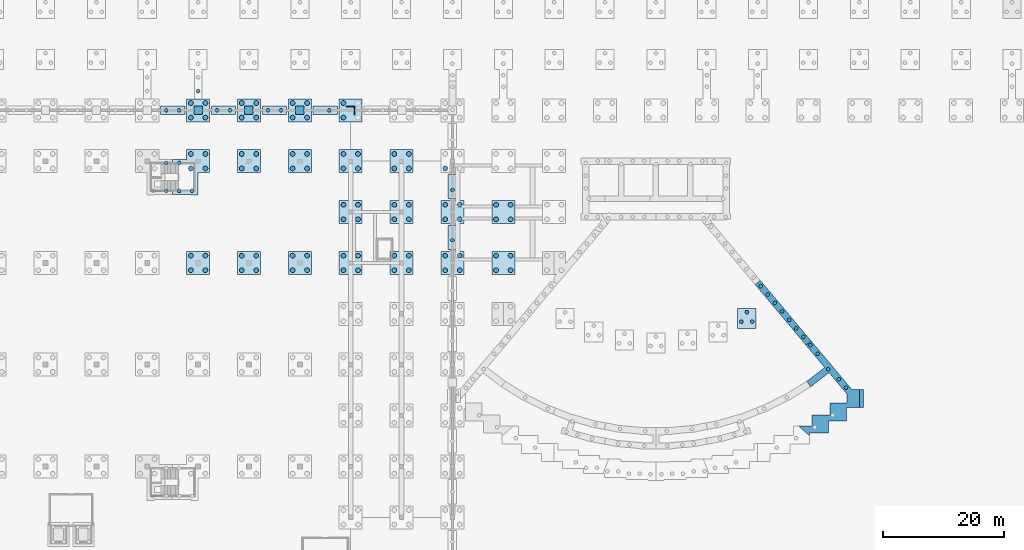
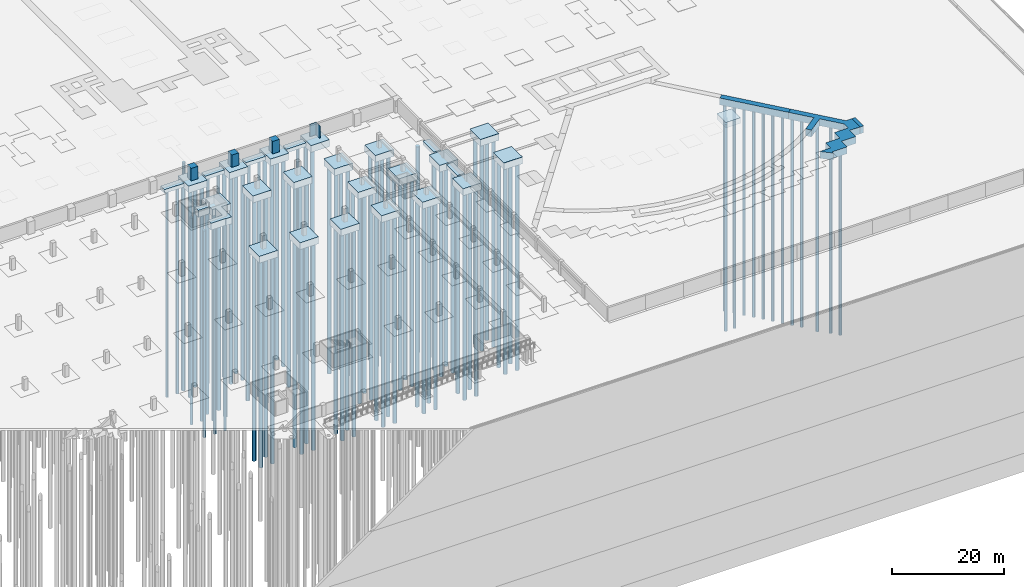
# One storey, part 9 of 67: 109 piles, 34 footings.
"""IFC4 building model written with IfcOpenShell, lengths in metres."""

from ifc_helpers import new_model, si_unit, direction, frame, origin, origin_2d, place, context, subcontext, project, spatial, polyline, circle, outline, extrude, material, material_profile, profile_set, type_object, element, save


model = new_model("IFC4")

# Units and contexts
model_context = context("Model", 3, precision=1e-05, world=origin(), true_north=direction((0.0, 1.0)))
body_context = subcontext(model_context, "Body", "Model", "MODEL_VIEW")
ifc_project = project(units=[si_unit("LENGTHUNIT", "METRE"), si_unit("AREAUNIT", "SQUARE_METRE"), si_unit("VOLUMEUNIT", "CUBIC_METRE"), si_unit("PLANEANGLEUNIT", "RADIAN"), si_unit("MASSUNIT", "GRAM", prefix="KILO")], contexts=[model_context])

# Site, building, storey
site_placement = place(None, origin())
site = spatial("IfcSite", under=ifc_project, at=site_placement, CompositionType="ELEMENT")
building_placement = place(site_placement, origin())
building = spatial("IfcBuilding", under=site, at=building_placement, Name="Rain Tree Exposition and Congress Centre", CompositionType="ELEMENT")
storey_placement = place(building_placement, frame((0.0, 0.0, -3.0)))
storey = spatial("IfcBuildingStorey", under=building, at=storey_placement, Name="B1", CompositionType="ELEMENT", Elevation=-3.0)

# Piles
ifc_material_1 = material(Name="Concrete C35/45", Category="concrete")
ifc_material_profile_1 = material_profile(ifc_material_1, circle(Radius=0.300048828125, at=origin_2d()), Name="D600")
ifc_profile_set_1 = profile_set([ifc_material_profile_1], Name="Concrete C35/45")
pile_type_1 = type_object("IfcPileType", Name="Bored pile D600", PredefinedType="BORED", material=ifc_profile_set_1)
for number, where, z_axis, x_axis, name in (
    (1, (120.7333984375, 62.300048828125, -1.425048828125), (0.0, 0.0, -1.0), (1.0, 0.0, 0.0), "Bored pile 0776"),
    (2, (120.7333984375, 66.89990234375, -1.425048828125), (0.0, 0.0, -1.0), (1.0, 0.0, 0.0), "Bored pile 0777"),
    (3, (122.86669921875, 62.300048828125, -1.425048828125), (0.0, 0.0, -1.0), (1.0, 0.0, 0.0), "Bored pile 0778"),
    (4, (122.86669921875, 66.89990234375, -1.425048828125), (0.0, 0.0, -1.0), (1.0, 0.0, 0.0), "Bored pile 0779"),
    (5, (125.0, 62.300048828125, -1.425048828125), (0.0, 0.0, -1.0), (1.0, 0.0, 0.0), "Bored pile 0782"),
    (6, (218.897216796875, 46.586181640625, 1.2255859375), (0.0, 0.0, -1.0), (1.0, 0.0, 0.0), "Bored pile 1940"),
    (7, (220.071044921875, 45.187255859375, 1.2255859375), (0.0, 0.0, -1.0), (1.0, 0.0, 0.0), "Bored pile 1941"),
    (8, (221.244873046875, 43.7880859375, 1.2255859375), (0.0, 0.0, -1.0), (1.0, 0.0, 0.0), "Bored pile 1942"),
    (9, (222.418701171875, 42.389404296875, 1.2255859375), (0.0, 0.0, -1.0), (1.0, 0.0, 0.0), "Bored pile 1943"),
    (10, (223.592529296875, 40.990234375, 1.2255859375), (0.0, 0.0, -1.0), (1.0, 0.0, 0.0), "Bored pile 1944"),
    (11, (224.766357421875, 39.59130859375, 1.2255859375), (0.0, 0.0, -1.0), (1.0, 0.0, 0.0), "Bored pile 1945"),
    (12, (225.940185546875, 38.1923828125, 1.2255859375), (0.0, 0.0, -1.0), (1.0, 0.0, 0.0), "Bored pile 1946"),
    (13, (230.02978515625, 32.8525390625, 1.2255859375), (0.0, 0.0, -1.0), (1.0, 0.0, 0.0), "Bored pile 1949"),
    (14, (227.114013671875, 36.79345703125, 1.2255859375), (0.0, 0.0, -1.0), (1.0, 0.0, 0.0), "Bored pile 1950"),
    (15, (228.287841796875, 35.39453125, 1.2255859375), (0.0, 0.0, -1.0), (1.0, 0.0, 0.0), "Bored pile 1951"),
    (16, (231.8095703125, 31.19775390625, 1.2255859375), (0.0, 0.0, -1.0), (1.0, 0.0, 0.0), "Bored pile 1952"),
    (17, (232.9833984375, 29.798828125, 1.2255859375), (0.0, 0.0, -1.0), (1.0, 0.0, 0.0), "Bored pile 1953"),
    (18, (126.0, 78.7666015625, 1.574951171875), (0.0, 0.0, -1.0), (1.0, 0.0, 0.0), "Bored pile 2249"),
    (19, (215.699951171875, 40.699462890625, 1.574951171875), (0.0, 0.0, -1.0), (1.0, 0.0, 0.0), "Bored pile 2359"),
    (20, (217.5, 40.699462890625, 1.574951171875), (0.0, 0.0, -1.0), (1.0, 0.0, 0.0), "Bored pile 2360"),
    (21, (216.60009765625, 42.258544921875, 1.574951171875), (0.0, 0.0, -1.0), (1.0, 0.0, 0.0), "Bored pile 2361"),
    (22, (168.0, 54.14990234375, -0.72509765625), (0.0, 0.0, -1.0), (1.0, 0.0, 0.0), "Bored pile 2445"),
    (23, (168.0, 62.449951171875, -0.72509765625), (0.0, 0.0, -1.0), (1.0, 0.0, 0.0), "Bored pile 2446"),
    (24, (147.64990234375, 75.60009765625, -0.72509765625), (0.0, 0.0, -1.0), (1.0, 0.0, 0.0), "Bored pile 2452"),
    (25, (139.666748046875, 75.60009765625, -0.72509765625), (0.0, 0.0, -1.0), (1.0, 0.0, 0.0), "Bored pile 2453"),
    (26, (137.533203125, 75.60009765625, -0.72509765625), (0.0, 0.0, -1.0), (1.0, 0.0, 0.0), "Bored pile 2454"),
    (27, (131.2666015625, 75.60009765625, -0.72509765625), (0.0, 0.0, -1.0), (1.0, 0.0, 0.0), "Bored pile 2455"),
    (28, (129.13330078125, 75.60009765625, -0.72509765625), (0.0, 0.0, -1.0), (1.0, 0.0, 0.0), "Bored pile 2456"),
    (29, (122.86669921875, 75.60009765625, -0.72509765625), (0.0, 0.0, -1.0), (1.0, 0.0, 0.0), "Bored pile 2457"),
    (30, (120.7333984375, 75.60009765625, -0.72509765625), (0.0, 0.0, -1.0), (1.0, 0.0, 0.0), "Bored pile 2458"),
):
    element("IfcPile", number, at=place(storey_placement, frame(where, z_axis=z_axis, x_axis=x_axis)), inside=storey, type_object=pile_type_1, Name=name, PredefinedType="BORED", context=body_context, shape_type="SweptSolid", body=[
        extrude(circle(Radius=0.300048828125, at=origin_2d()), origin(), (0.0, 0.0, 1.0), 45.074951171875),
    ])
ifc_material_2 = material(Name="Concrete C35/45", Category="concrete")
ifc_material_profile_2 = material_profile(ifc_material_2, circle(Radius=0.39990234375, at=origin_2d()), Name="D800")
ifc_profile_set_2 = profile_set([ifc_material_profile_2], Name="Concrete C35/45")
pile_type_2 = type_object("IfcPileType", Name="Bored pile D800", PredefinedType="BORED", material=ifc_profile_set_2)
for number, where, z_axis, x_axis, name in (
    (31, (124.800048828125, 49.199951171875, -1.425048828125), (0.0, 0.0, -1.0), (1.0, 0.0, 0.0), "Bored pile 0755"),
    (32, (127.199951171875, 49.199951171875, -1.425048828125), (0.0, 0.0, -1.0), (1.0, 0.0, 0.0), "Bored pile 0756"),
    (33, (124.800048828125, 51.60009765625, -1.425048828125), (0.0, 0.0, -1.0), (1.0, 0.0, 0.0), "Bored pile 0757"),
    (34, (127.199951171875, 51.60009765625, -1.425048828125), (0.0, 0.0, -1.0), (1.0, 0.0, 0.0), "Bored pile 0758"),
    (35, (124.800048828125, 66.0, -1.425048828125), (0.0, 0.0, -1.0), (1.0, 0.0, 0.0), "Bored pile 0780"),
    (36, (124.800048828125, 68.39990234375, -1.425048828125), (0.0, 0.0, -1.0), (1.0, 0.0, 0.0), "Bored pile 0781"),
    (37, (127.199951171875, 66.0, -1.425048828125), (0.0, 0.0, -1.0), (1.0, 0.0, 0.0), "Bored pile 0783"),
    (38, (127.199951171875, 68.39990234375, -1.425048828125), (0.0, 0.0, -1.0), (1.0, 0.0, 0.0), "Bored pile 0784"),
    (39, (124.800048828125, 74.39990234375, -1.425048828125), (0.0, 0.0, -1.0), (1.0, 0.0, 0.0), "Bored pile 0797"),
    (40, (127.199951171875, 74.39990234375, -1.425048828125), (0.0, 0.0, -1.0), (1.0, 0.0, 0.0), "Bored pile 0798"),
    (41, (124.800048828125, 76.800048828125, -1.425048828125), (0.0, 0.0, -1.0), (1.0, 0.0, 0.0), "Bored pile 0799"),
    (42, (127.199951171875, 76.800048828125, -1.425048828125), (0.0, 0.0, -1.0), (1.0, 0.0, 0.0), "Bored pile 0800"),
    (43, (150.0, 49.199951171875, -1.425048828125), (0.0, 0.0, -1.0), (1.0, 0.0, 0.0), "Bored pile 0961"),
    (44, (152.39990234375, 49.199951171875, -1.425048828125), (0.0, 0.0, -1.0), (1.0, 0.0, 0.0), "Bored pile 0962"),
    (45, (150.0, 51.60009765625, -1.425048828125), (0.0, 0.0, -1.0), (1.0, 0.0, 0.0), "Bored pile 0963"),
    (46, (152.39990234375, 51.60009765625, -1.425048828125), (0.0, 0.0, -1.0), (1.0, 0.0, 0.0), "Bored pile 0964"),
    (47, (158.39990234375, 49.199951171875, -1.425048828125), (0.0, 0.0, -1.0), (1.0, 0.0, 0.0), "Bored pile 0965"),
    (48, (160.800048828125, 49.199951171875, -1.425048828125), (0.0, 0.0, -1.0), (1.0, 0.0, 0.0), "Bored pile 0966"),
    (49, (158.39990234375, 51.60009765625, -1.425048828125), (0.0, 0.0, -1.0), (1.0, 0.0, 0.0), "Bored pile 0967"),
    (50, (160.800048828125, 51.60009765625, -1.425048828125), (0.0, 0.0, -1.0), (1.0, 0.0, 0.0), "Bored pile 0968"),
    (51, (133.199951171875, 49.199951171875, -1.425048828125), (0.0, 0.0, -1.0), (1.0, 0.0, 0.0), "Bored pile 0969"),
    (52, (135.60009765625, 49.199951171875, -1.425048828125), (0.0, 0.0, -1.0), (1.0, 0.0, 0.0), "Bored pile 0970"),
    (53, (133.199951171875, 51.60009765625, -1.425048828125), (0.0, 0.0, -1.0), (1.0, 0.0, 0.0), "Bored pile 0971"),
    (54, (135.60009765625, 51.60009765625, -1.425048828125), (0.0, 0.0, -1.0), (1.0, 0.0, 0.0), "Bored pile 0972"),
    (55, (141.60009765625, 49.199951171875, -1.425048828125), (0.0, 0.0, -1.0), (1.0, 0.0, 0.0), "Bored pile 0973"),
    (56, (144.0, 49.199951171875, -1.425048828125), (0.0, 0.0, -1.0), (1.0, 0.0, 0.0), "Bored pile 0974"),
    (57, (141.60009765625, 51.60009765625, -1.425048828125), (0.0, 0.0, -1.0), (1.0, 0.0, 0.0), "Bored pile 0975"),
    (58, (144.0, 51.60009765625, -1.425048828125), (0.0, 0.0, -1.0), (1.0, 0.0, 0.0), "Bored pile 0976"),
    (59, (150.0, 57.60009765625, -1.425048828125), (0.0, 0.0, -1.0), (1.0, 0.0, 0.0), "Bored pile 0977"),
    (60, (152.39990234375, 57.60009765625, -1.425048828125), (0.0, 0.0, -1.0), (1.0, 0.0, 0.0), "Bored pile 0978"),
    (61, (150.0, 60.0, -1.425048828125), (0.0, 0.0, -1.0), (1.0, 0.0, 0.0), "Bored pile 0979"),
    (62, (152.39990234375, 60.0, -1.425048828125), (0.0, 0.0, -1.0), (1.0, 0.0, 0.0), "Bored pile 0980"),
    (63, (141.60009765625, 66.0, -1.425048828125), (0.0, 0.0, -1.0), (1.0, 0.0, 0.0), "Bored pile 0981"),
    (64, (144.0, 66.0, -1.425048828125), (0.0, 0.0, -1.0), (1.0, 0.0, 0.0), "Bored pile 0982"),
    (65, (141.60009765625, 68.39990234375, -1.425048828125), (0.0, 0.0, -1.0), (1.0, 0.0, 0.0), "Bored pile 0983"),
    (66, (144.0, 68.39990234375, -1.425048828125), (0.0, 0.0, -1.0), (1.0, 0.0, 0.0), "Bored pile 0984"),
    (67, (158.39990234375, 66.0, -1.425048828125), (0.0, 0.0, -1.0), (1.0, 0.0, 0.0), "Bored pile 0985"),
    (68, (160.800048828125, 66.0, -1.425048828125), (0.0, 0.0, -1.0), (1.0, 0.0, 0.0), "Bored pile 0986"),
    (69, (158.39990234375, 68.39990234375, -1.425048828125), (0.0, 0.0, -1.0), (1.0, 0.0, 0.0), "Bored pile 0987"),
    (70, (160.800048828125, 68.39990234375, -1.425048828125), (0.0, 0.0, -1.0), (1.0, 0.0, 0.0), "Bored pile 0988"),
    (71, (150.0, 66.0, -1.425048828125), (0.0, 0.0, -1.0), (1.0, 0.0, 0.0), "Bored pile 0989"),
    (72, (152.39990234375, 66.0, -1.425048828125), (0.0, 0.0, -1.0), (1.0, 0.0, 0.0), "Bored pile 0990"),
    (73, (150.0, 68.39990234375, -1.425048828125), (0.0, 0.0, -1.0), (1.0, 0.0, 0.0), "Bored pile 0991"),
    (74, (152.39990234375, 68.39990234375, -1.425048828125), (0.0, 0.0, -1.0), (1.0, 0.0, 0.0), "Bored pile 0992"),
    (75, (133.199951171875, 66.0, -1.425048828125), (0.0, 0.0, -1.0), (1.0, 0.0, 0.0), "Bored pile 0993"),
    (76, (135.60009765625, 66.0, -1.425048828125), (0.0, 0.0, -1.0), (1.0, 0.0, 0.0), "Bored pile 0994"),
    (77, (133.199951171875, 68.39990234375, -1.425048828125), (0.0, 0.0, -1.0), (1.0, 0.0, 0.0), "Bored pile 0995"),
    (78, (135.60009765625, 68.39990234375, -1.425048828125), (0.0, 0.0, -1.0), (1.0, 0.0, 0.0), "Bored pile 0996"),
    (79, (150.0, 74.39990234375, -1.425048828125), (0.0, 0.0, -1.0), (1.0, 0.0, 0.0), "Bored pile 0997"),
    (80, (150.0, 76.800048828125, -1.425048828125), (0.0, 0.0, -1.0), (1.0, 0.0, 0.0), "Bored pile 0999"),
    (81, (133.199951171875, 74.39990234375, -1.425048828125), (0.0, 0.0, -1.0), (1.0, 0.0, 0.0), "Bored pile 1001"),
    (82, (135.60009765625, 74.39990234375, -1.425048828125), (0.0, 0.0, -1.0), (1.0, 0.0, 0.0), "Bored pile 1002"),
    (83, (133.199951171875, 76.800048828125, -1.425048828125), (0.0, 0.0, -1.0), (1.0, 0.0, 0.0), "Bored pile 1003"),
    (84, (135.60009765625, 76.800048828125, -1.425048828125), (0.0, 0.0, -1.0), (1.0, 0.0, 0.0), "Bored pile 1004"),
    (85, (141.60009765625, 74.39990234375, -1.425048828125), (0.0, 0.0, -1.0), (1.0, 0.0, 0.0), "Bored pile 1009"),
    (86, (144.0, 74.39990234375, -1.425048828125), (0.0, 0.0, -1.0), (1.0, 0.0, 0.0), "Bored pile 1010"),
    (87, (141.60009765625, 76.800048828125, -1.425048828125), (0.0, 0.0, -1.0), (1.0, 0.0, 0.0), "Bored pile 1011"),
    (88, (144.0, 76.800048828125, -1.425048828125), (0.0, 0.0, -1.0), (1.0, 0.0, 0.0), "Bored pile 1012"),
    (89, (166.800048828125, 49.199951171875, -1.425048828125), (0.0, 0.0, -1.0), (1.0, 0.0, 0.0), "Bored pile 1122"),
    (90, (169.199951171875, 49.199951171875, -1.425048828125), (0.0, 0.0, -1.0), (1.0, 0.0, 0.0), "Bored pile 1123"),
    (91, (166.800048828125, 51.60009765625, -1.425048828125), (0.0, 0.0, -1.0), (1.0, 0.0, 0.0), "Bored pile 1124"),
    (92, (169.199951171875, 51.60009765625, -1.425048828125), (0.0, 0.0, -1.0), (1.0, 0.0, 0.0), "Bored pile 1125"),
    (93, (158.39990234375, 57.60009765625, -1.425048828125), (0.0, 0.0, -1.0), (1.0, 0.0, 0.0), "Bored pile 1126"),
    (94, (160.800048828125, 57.60009765625, -1.425048828125), (0.0, 0.0, -1.0), (1.0, 0.0, 0.0), "Bored pile 1127"),
    (95, (158.39990234375, 60.0, -1.425048828125), (0.0, 0.0, -1.0), (1.0, 0.0, 0.0), "Bored pile 1128"),
    (96, (160.800048828125, 60.0, -1.425048828125), (0.0, 0.0, -1.0), (1.0, 0.0, 0.0), "Bored pile 1129"),
    (97, (166.800048828125, 57.60009765625, -1.425048828125), (0.0, 0.0, -1.0), (1.0, 0.0, 0.0), "Bored pile 1130"),
    (98, (169.199951171875, 57.60009765625, -1.425048828125), (0.0, 0.0, -1.0), (1.0, 0.0, 0.0), "Bored pile 1131"),
    (99, (166.800048828125, 60.0, -1.425048828125), (0.0, 0.0, -1.0), (1.0, 0.0, 0.0), "Bored pile 1132"),
    (100, (169.199951171875, 60.0, -1.425048828125), (0.0, 0.0, -1.0), (1.0, 0.0, 0.0), "Bored pile 1133"),
    (101, (166.800048828125, 66.0, -1.425048828125), (0.0, 0.0, -1.0), (1.0, 0.0, 0.0), "Bored pile 1134"),
    (102, (175.199951171875, 49.199951171875, 1.27490234375), (0.0, 0.0, -1.0), (1.0, 0.0, 0.0), "Bored pile 2220"),
    (103, (177.60009765625, 49.199951171875, 1.27490234375), (0.0, 0.0, -1.0), (1.0, 0.0, 0.0), "Bored pile 2221"),
    (104, (175.199951171875, 51.60009765625, 1.27490234375), (0.0, 0.0, -1.0), (1.0, 0.0, 0.0), "Bored pile 2222"),
    (105, (177.60009765625, 51.60009765625, 1.27490234375), (0.0, 0.0, -1.0), (1.0, 0.0, 0.0), "Bored pile 2223"),
    (106, (175.199951171875, 57.60009765625, 1.27490234375), (0.0, 0.0, -1.0), (1.0, 0.0, 0.0), "Bored pile 2224"),
    (107, (177.60009765625, 57.60009765625, 1.27490234375), (0.0, 0.0, -1.0), (1.0, 0.0, 0.0), "Bored pile 2225"),
    (108, (175.199951171875, 60.0, 1.27490234375), (0.0, 0.0, -1.0), (1.0, 0.0, 0.0), "Bored pile 2226"),
    (109, (177.60009765625, 60.0, 1.27490234375), (0.0, 0.0, -1.0), (1.0, 0.0, 0.0), "Bored pile 2227"),
):
    element("IfcPile", number, at=place(storey_placement, frame(where, z_axis=z_axis, x_axis=x_axis)), inside=storey, type_object=pile_type_2, Name=name, PredefinedType="BORED", context=body_context, shape_type="SweptSolid", body=[
        extrude(circle(Radius=0.39990234375, at=origin_2d()), origin(), (0.0, 0.0, 1.0), 45.074951171875),
    ])

# Footings
ifc_material_3 = material(Name="Concrete C35/45", Category="concrete")
footing_type_1 = type_object("IfcFootingType", Name="Pier cap 2700 thick", PredefinedType="PILE_CAP", material=ifc_material_3)
footing_1_placement = place(storey_placement, origin())
element("IfcFooting", 110, at=footing_1_placement, inside=storey, type_object=footing_type_1, Name="Pier cap 045", PredefinedType="PILE_CAP", context=body_context, shape_type="SweptSolid", body=[
    extrude(outline(polyline([(125.300048828125, 74.89990234375), (126.699951171875, 74.89990234375), (126.699951171875, 76.300048828125), (125.300048828125, 76.300048828125), (125.300048828125, 74.89990234375)])), origin(), (0.0, 0.0, 1.0), 2.699951171875),
])
footing_2_placement = place(storey_placement, origin())
element("IfcFooting", 111, at=footing_2_placement, inside=storey, type_object=footing_type_1, Name="Pier cap 046", PredefinedType="PILE_CAP", context=body_context, shape_type="SweptSolid", body=[
    extrude(outline(polyline([(133.699951171875, 74.89990234375), (135.10009765625, 74.89990234375), (135.10009765625, 76.300048828125), (133.699951171875, 76.300048828125), (133.699951171875, 74.89990234375)])), origin(), (0.0, 0.0, 1.0), 2.699951171875),
])
footing_3_placement = place(storey_placement, origin())
element("IfcFooting", 112, at=footing_3_placement, inside=storey, type_object=footing_type_1, Name="Pier cap 047", PredefinedType="PILE_CAP", context=body_context, shape_type="SweptSolid", body=[
    extrude(outline(polyline([(142.10009765625, 74.89990234375), (143.5, 74.89990234375), (143.5, 76.300048828125), (142.10009765625, 76.300048828125), (142.10009765625, 74.89990234375)])), origin(), (0.0, 0.0, 1.0), 2.699951171875),
])
footing_4_placement = place(storey_placement, origin())
element("IfcFooting", 113, at=footing_4_placement, inside=storey, type_object=footing_type_1, Name="Pier cap 053", PredefinedType="PILE_CAP", context=body_context, shape_type="SweptSolid", body=[
    extrude(outline(polyline([(151.800048828125, 76.199951171875), (151.800048828125, 74.89990234375), (151.89990234375, 74.89990234375), (151.89990234375, 76.300048828125), (150.5, 76.300048828125), (150.5, 76.199951171875), (151.800048828125, 76.199951171875)])), origin(), (0.0, 0.0, 1.0), 2.699951171875),
])
ifc_material_4 = material(Name="Concrete C35/45", Category="concrete")
footing_type_2 = type_object("IfcFootingType", Name="Pile cap 1200 thick", PredefinedType="PILE_CAP", material=ifc_material_4)
footing_5_placement = place(storey_placement, frame((0.0, 0.0, 1.5)))
element("IfcFooting", 114, at=footing_5_placement, inside=storey, type_object=footing_type_2, Name="Pile cap 364", PredefinedType="PILE_CAP", context=body_context, shape_type="SweptSolid", body=[
    extrude(outline(polyline([(218.10009765625, 39.579833984375), (218.10009765625, 42.8583984375), (215.10009765625, 42.8583984375), (215.10009765625, 39.579833984375), (218.10009765625, 39.579833984375)])), origin(), (0.0, 0.0, 1.0), 1.199951171875),
])
ifc_material_5 = material(Name="Concrete C35/45", Category="concrete")
footing_type_3 = type_object("IfcFootingType", Name="Pile cap 1500 thick", PredefinedType="PILE_CAP", material=ifc_material_5)
footing_6_placement = place(storey_placement, frame((0.0, 0.0, -1.5)))
element("IfcFooting", 115, at=footing_6_placement, inside=storey, type_object=footing_type_3, Name="Pile cap 148", PredefinedType="PILE_CAP", context=body_context, shape_type="SweptSolid", body=[
    extrude(outline(polyline([(127.89990234375, 48.5), (127.89990234375, 52.300048828125), (124.10009765625, 52.300048828125), (124.10009765625, 48.5), (127.89990234375, 48.5)])), origin(), (0.0, 0.0, 1.0), 1.5),
])
footing_7_placement = place(storey_placement, frame((0.0, 0.0, -1.5)))
element("IfcFooting", 116, at=footing_7_placement, inside=storey, type_object=footing_type_3, Name="Pile cap 155", PredefinedType="PILE_CAP", context=body_context, shape_type="SweptSolid", body=[
    extrude(outline(polyline([(127.89990234375, 73.699951171875), (127.89990234375, 77.5), (124.10009765625, 77.5), (124.10009765625, 73.699951171875), (127.89990234375, 73.699951171875)])), origin(), (0.0, 0.0, 1.0), 1.5),
])
footing_8_placement = place(storey_placement, frame((0.0, 0.0, -1.5)))
element("IfcFooting", 117, at=footing_8_placement, inside=storey, type_object=footing_type_3, Name="Pile cap 183", PredefinedType="PILE_CAP", context=body_context, shape_type="SweptSolid", body=[
    extrude(outline(polyline([(153.10009765625, 48.5), (153.10009765625, 52.300048828125), (149.300048828125, 52.300048828125), (149.300048828125, 48.5), (153.10009765625, 48.5)])), origin(), (0.0, 0.0, 1.0), 1.5),
])
footing_9_placement = place(storey_placement, frame((0.0, 0.0, -1.5)))
element("IfcFooting", 118, at=footing_9_placement, inside=storey, type_object=footing_type_3, Name="Pile cap 184", PredefinedType="PILE_CAP", context=body_context, shape_type="SweptSolid", body=[
    extrude(outline(polyline([(161.5, 48.5), (161.5, 52.300048828125), (157.699951171875, 52.300048828125), (157.699951171875, 48.5), (161.5, 48.5)])), origin(), (0.0, 0.0, 1.0), 1.5),
])
footing_10_placement = place(storey_placement, frame((0.0, 0.0, -1.5)))
element("IfcFooting", 119, at=footing_10_placement, inside=storey, type_object=footing_type_3, Name="Pile cap 185", PredefinedType="PILE_CAP", context=body_context, shape_type="SweptSolid", body=[
    extrude(outline(polyline([(136.300048828125, 48.5), (136.300048828125, 52.300048828125), (132.5, 52.300048828125), (132.5, 48.5), (136.300048828125, 48.5)])), origin(), (0.0, 0.0, 1.0), 1.5),
])
footing_11_placement = place(storey_placement, frame((0.0, 0.0, -1.5)))
element("IfcFooting", 120, at=footing_11_placement, inside=storey, type_object=footing_type_3, Name="Pile cap 186", PredefinedType="PILE_CAP", context=body_context, shape_type="SweptSolid", body=[
    extrude(outline(polyline([(144.699951171875, 48.5), (144.699951171875, 52.300048828125), (140.89990234375, 52.300048828125), (140.89990234375, 48.5), (144.699951171875, 48.5)])), origin(), (0.0, 0.0, 1.0), 1.5),
])
footing_12_placement = place(storey_placement, frame((0.0, 0.0, -1.5)))
element("IfcFooting", 121, at=footing_12_placement, inside=storey, type_object=footing_type_3, Name="Pile cap 187", PredefinedType="PILE_CAP", context=body_context, shape_type="SweptSolid", body=[
    extrude(outline(polyline([(153.10009765625, 56.89990234375), (153.10009765625, 60.699951171875), (149.300048828125, 60.699951171875), (149.300048828125, 56.89990234375), (153.10009765625, 56.89990234375)])), origin(), (0.0, 0.0, 1.0), 1.5),
])
footing_13_placement = place(storey_placement, frame((0.0, 0.0, -1.5)))
element("IfcFooting", 122, at=footing_13_placement, inside=storey, type_object=footing_type_3, Name="Pile cap 188", PredefinedType="PILE_CAP", context=body_context, shape_type="SweptSolid", body=[
    extrude(outline(polyline([(144.699951171875, 65.300048828125), (144.699951171875, 69.10009765625), (140.89990234375, 69.10009765625), (140.89990234375, 65.300048828125), (144.699951171875, 65.300048828125)])), origin(), (0.0, 0.0, 1.0), 1.5),
])
footing_14_placement = place(storey_placement, frame((0.0, 0.0, -1.5)))
element("IfcFooting", 123, at=footing_14_placement, inside=storey, type_object=footing_type_3, Name="Pile cap 189", PredefinedType="PILE_CAP", context=body_context, shape_type="SweptSolid", body=[
    extrude(outline(polyline([(161.5, 65.300048828125), (161.5, 69.10009765625), (157.699951171875, 69.10009765625), (157.699951171875, 65.300048828125), (161.5, 65.300048828125)])), origin(), (0.0, 0.0, 1.0), 1.5),
])
footing_15_placement = place(storey_placement, frame((0.0, 0.0, -1.5)))
element("IfcFooting", 124, at=footing_15_placement, inside=storey, type_object=footing_type_3, Name="Pile cap 190", PredefinedType="PILE_CAP", context=body_context, shape_type="SweptSolid", body=[
    extrude(outline(polyline([(153.10009765625, 65.300048828125), (153.10009765625, 69.10009765625), (149.300048828125, 69.10009765625), (149.300048828125, 65.300048828125), (153.10009765625, 65.300048828125)])), origin(), (0.0, 0.0, 1.0), 1.5),
])
footing_16_placement = place(storey_placement, frame((0.0, 0.0, -1.5)))
element("IfcFooting", 125, at=footing_16_placement, inside=storey, type_object=footing_type_3, Name="Pile cap 191", PredefinedType="PILE_CAP", context=body_context, shape_type="SweptSolid", body=[
    extrude(outline(polyline([(136.300048828125, 65.300048828125), (136.300048828125, 69.10009765625), (132.5, 69.10009765625), (132.5, 65.300048828125), (136.300048828125, 65.300048828125)])), origin(), (0.0, 0.0, 1.0), 1.5),
])
footing_17_placement = place(storey_placement, frame((0.0, 0.0, -1.5)))
element("IfcFooting", 126, at=footing_17_placement, inside=storey, type_object=footing_type_3, Name="Pile cap 192", PredefinedType="PILE_CAP", context=body_context, shape_type="SweptSolid", body=[
    extrude(outline(polyline([(153.10009765625, 73.699951171875), (153.10009765625, 77.5), (149.300048828125, 77.5), (149.300048828125, 73.699951171875), (153.10009765625, 73.699951171875)])), origin(), (0.0, 0.0, 1.0), 1.5),
])
footing_18_placement = place(storey_placement, frame((0.0, 0.0, -1.5)))
element("IfcFooting", 127, at=footing_18_placement, inside=storey, type_object=footing_type_3, Name="Pile cap 193", PredefinedType="PILE_CAP", context=body_context, shape_type="SweptSolid", body=[
    extrude(outline(polyline([(136.300048828125, 73.699951171875), (136.300048828125, 77.5), (132.5, 77.5), (132.5, 73.699951171875), (136.300048828125, 73.699951171875)])), origin(), (0.0, 0.0, 1.0), 1.5),
])
footing_19_placement = place(storey_placement, frame((0.0, 0.0, -1.5)))
element("IfcFooting", 128, at=footing_19_placement, inside=storey, type_object=footing_type_3, Name="Pile cap 195", PredefinedType="PILE_CAP", context=body_context, shape_type="SweptSolid", body=[
    extrude(outline(polyline([(144.699951171875, 73.699951171875), (144.699951171875, 77.5), (140.89990234375, 77.5), (140.89990234375, 73.699951171875), (144.699951171875, 73.699951171875)])), origin(), (0.0, 0.0, 1.0), 1.5),
])
footing_20_placement = place(storey_placement, frame((0.0, 0.0, -1.5)))
element("IfcFooting", 129, at=footing_20_placement, inside=storey, type_object=footing_type_3, Name="Pile cap 222", PredefinedType="PILE_CAP", context=body_context, shape_type="SweptSolid", body=[
    extrude(outline(polyline([(169.89990234375, 48.5), (169.89990234375, 52.300048828125), (166.10009765625, 52.300048828125), (166.10009765625, 48.5), (169.89990234375, 48.5)])), origin(), (0.0, 0.0, 1.0), 1.5),
])
footing_21_placement = place(storey_placement, frame((0.0, 0.0, -1.5)))
element("IfcFooting", 130, at=footing_21_placement, inside=storey, type_object=footing_type_3, Name="Pile cap 223", PredefinedType="PILE_CAP", context=body_context, shape_type="SweptSolid", body=[
    extrude(outline(polyline([(161.5, 56.89990234375), (161.5, 60.699951171875), (157.699951171875, 60.699951171875), (157.699951171875, 56.89990234375), (161.5, 56.89990234375)])), origin(), (0.0, 0.0, 1.0), 1.5),
])
footing_22_placement = place(storey_placement, frame((0.0, 0.0, -1.5)))
element("IfcFooting", 131, at=footing_22_placement, inside=storey, type_object=footing_type_3, Name="Pile cap 224", PredefinedType="PILE_CAP", context=body_context, shape_type="SweptSolid", body=[
    extrude(outline(polyline([(169.89990234375, 56.89990234375), (169.89990234375, 60.699951171875), (166.10009765625, 60.699951171875), (166.10009765625, 56.89990234375), (169.89990234375, 56.89990234375)])), origin(), (0.0, 0.0, 1.0), 1.5),
])
footing_23_placement = place(storey_placement, frame((0.0, 0.0, 1.199951171875)))
element("IfcFooting", 132, at=footing_23_placement, inside=storey, type_object=footing_type_3, Name="Pile cap 330", PredefinedType="PILE_CAP", context=body_context, shape_type="SweptSolid", body=[
    extrude(outline(polyline([(178.300048828125, 48.5), (178.300048828125, 52.300048828125), (174.5, 52.300048828125), (174.5, 48.5), (178.300048828125, 48.5)])), origin(), (0.0, 0.0, 1.0), 1.5),
])
footing_24_placement = place(storey_placement, frame((0.0, 0.0, 1.199951171875)))
element("IfcFooting", 133, at=footing_24_placement, inside=storey, type_object=footing_type_3, Name="Pile cap 331", PredefinedType="PILE_CAP", context=body_context, shape_type="SweptSolid", body=[
    extrude(outline(polyline([(178.300048828125, 56.89990234375), (178.300048828125, 60.699951171875), (174.5, 60.699951171875), (174.5, 56.89990234375), (178.300048828125, 56.89990234375)])), origin(), (0.0, 0.0, 1.0), 1.5),
])
ifc_material_6 = material(Name="Concrete C35/45", Category="concrete")
footing_type_4 = type_object("IfcFootingType", Name="Strip footing 1500 thick", PredefinedType="STRIP_FOOTING", material=ifc_material_6)
footing_25_placement = place(storey_placement, frame((0.0, 0.0, -1.5)))
element("IfcFooting", 134, at=footing_25_placement, inside=storey, type_object=footing_type_4, Name="Strip footing 023", PredefinedType="STRIP_FOOTING", context=body_context, shape_type="SweptSolid", body=[
    extrude(outline(polyline([(124.10009765625, 67.5), (121.800048828125, 67.5), (121.800048828125, 66.300048828125), (124.10009765625, 66.300048828125), (124.10009765625, 65.300048828125), (124.800048828125, 65.300048828125), (124.800048828125, 62.89990234375), (121.800048828125, 62.89990234375), (121.800048828125, 61.699951171875), (124.800048828125, 61.699951171875), (124.800048828125, 61.60009765625), (126.0, 61.60009765625), (126.0, 62.199951171875), (126.0, 65.300048828125), (127.89990234375, 65.300048828125), (127.89990234375, 69.10009765625), (124.10009765625, 69.10009765625), (124.10009765625, 67.5)])), origin(), (0.0, 0.0, 1.0), 1.5),
])
footing_26_placement = place(storey_placement, frame((0.0, 0.0, 1.150634765625)))
element("IfcFooting", 135, at=footing_26_placement, inside=storey, type_object=footing_type_4, Name="Strip footing 070", PredefinedType="STRIP_FOOTING", context=body_context, shape_type="SweptSolid", body=[
    extrude(outline(polyline([(218.8212890625, 47.531982421875), (217.978759765625, 46.824951171875), (226.378662109375, 36.814208984375), (227.22119140625, 37.521240234375), (218.8212890625, 47.531982421875)])), origin(), (0.0, 0.0, 1.0), 1.5),
])
footing_27_placement = place(storey_placement, frame((0.0, 0.0, 1.150634765625)))
element("IfcFooting", 136, at=footing_27_placement, inside=storey, type_object=footing_type_4, Name="Strip footing 071", PredefinedType="STRIP_FOOTING", context=body_context, shape_type="SweptSolid", body=[
    extrude(outline(polyline([(227.22119140625, 37.521240234375), (226.378662109375, 36.814208984375), (229.4765625, 33.122314453125), (226.6552734375, 30.970458984375), (226.5, 30.873291015625), (227.119873046875, 29.94140625), (227.28173828125, 30.064697265625), (227.726318359375, 30.342529296875), (227.700439453125, 30.384033203125), (230.184326171875, 32.27880859375), (233.16064453125, 28.731689453125), (233.16064453125, 27.267578125), (230.344482421875, 27.267578125), (230.344482421875, 25.269287109375), (227.3818359375, 25.269287109375), (227.3818359375, 23.482421875), (225.13671875, 23.482421875), (226.98681640625, 21.82568359375), (226.98681640625, 22.29052734375), (230.081787109375, 22.29052734375), (230.081787109375, 24.2890625), (233.044677734375, 24.2890625), (233.044677734375, 26.4892578125), (235.199951171875, 26.4892578125), (235.199951171875, 29.4677734375), (233.97900390625, 29.4677734375), (230.69775390625, 33.378173828125), (230.3720703125, 33.805419921875), (230.352294921875, 33.7900390625), (227.22119140625, 37.521240234375)])), origin(), (0.0, 0.0, 1.0), 1.5),
])
footing_28_placement = place(storey_placement, frame((0.0, 0.0, 1.150634765625)))
element("IfcFooting", 137, at=footing_28_placement, inside=storey, type_object=footing_type_4, Name="Strip footing 072", PredefinedType="STRIP_FOOTING", context=body_context, shape_type="SweptSolid", body=[
    extrude(outline(polyline([(235.199951171875, 29.4677734375), (235.199951171875, 26.4892578125), (235.860595703125, 26.4892578125), (235.860595703125, 29.4677734375), (235.199951171875, 29.4677734375)])), origin(), (0.0, 0.0, 1.0), 1.5),
])
ifc_material_7 = material(Name="Concrete C35/45", Category="concrete")
footing_type_5 = type_object("IfcFootingType", Name="Strip footing 800 thick", PredefinedType="STRIP_FOOTING", material=ifc_material_7)
footing_29_placement = place(storey_placement, frame((0.0, 0.0, -0.800048828125)))
element("IfcFooting", 138, at=footing_29_placement, inside=storey, type_object=footing_type_5, Name="Strip footing 109", PredefinedType="STRIP_FOOTING", context=body_context, shape_type="SweptSolid", body=[
    extrude(outline(polyline([(167.300048828125, 52.60009765625), (168.699951171875, 52.60009765625), (168.699951171875, 56.60009765625), (167.300048828125, 56.60009765625), (167.300048828125, 52.60009765625)])), origin(), (0.0, 0.0, 1.0), 0.800048828125),
])
footing_30_placement = place(storey_placement, frame((0.0, 0.0, -0.800048828125)))
element("IfcFooting", 139, at=footing_30_placement, inside=storey, type_object=footing_type_5, Name="Strip footing 110", PredefinedType="STRIP_FOOTING", context=body_context, shape_type="SweptSolid", body=[
    extrude(outline(polyline([(167.300048828125, 61.0), (168.699951171875, 61.0), (168.699951171875, 65.0), (167.300048828125, 65.0), (167.300048828125, 61.0)])), origin(), (0.0, 0.0, 1.0), 0.800048828125),
])
footing_31_placement = place(storey_placement, frame((0.0, 0.0, -0.800048828125)))
element("IfcFooting", 140, at=footing_31_placement, inside=storey, type_object=footing_type_5, Name="Strip footing 114", PredefinedType="STRIP_FOOTING", context=body_context, shape_type="SweptSolid", body=[
    extrude(outline(polyline([(149.0, 74.89990234375), (149.0, 76.300048828125), (145.0, 76.300048828125), (145.0, 74.89990234375), (149.0, 74.89990234375)])), origin(), (0.0, 0.0, 1.0), 0.800048828125),
])
footing_32_placement = place(storey_placement, frame((0.0, 0.0, -0.800048828125)))
element("IfcFooting", 141, at=footing_32_placement, inside=storey, type_object=footing_type_5, Name="Strip footing 115", PredefinedType="STRIP_FOOTING", context=body_context, shape_type="SweptSolid", body=[
    extrude(outline(polyline([(140.60009765625, 74.89990234375), (140.60009765625, 76.300048828125), (136.60009765625, 76.300048828125), (136.60009765625, 74.89990234375), (140.60009765625, 74.89990234375)])), origin(), (0.0, 0.0, 1.0), 0.800048828125),
])
footing_33_placement = place(storey_placement, frame((0.0, 0.0, -0.800048828125)))
element("IfcFooting", 142, at=footing_33_placement, inside=storey, type_object=footing_type_5, Name="Strip footing 116", PredefinedType="STRIP_FOOTING", context=body_context, shape_type="SweptSolid", body=[
    extrude(outline(polyline([(132.199951171875, 74.89990234375), (132.199951171875, 76.300048828125), (128.199951171875, 76.300048828125), (128.199951171875, 74.89990234375), (132.199951171875, 74.89990234375)])), origin(), (0.0, 0.0, 1.0), 0.800048828125),
])
footing_34_placement = place(storey_placement, frame((0.0, 0.0, -0.800048828125)))
element("IfcFooting", 143, at=footing_34_placement, inside=storey, type_object=footing_type_5, Name="Strip footing 117", PredefinedType="STRIP_FOOTING", context=body_context, shape_type="SweptSolid", body=[
    extrude(outline(polyline([(123.800048828125, 74.89990234375), (123.800048828125, 76.300048828125), (119.800048828125, 76.300048828125), (119.800048828125, 74.89990234375), (123.800048828125, 74.89990234375)])), origin(), (0.0, 0.0, 1.0), 0.800048828125),
])

save(model, "model.ifc")
